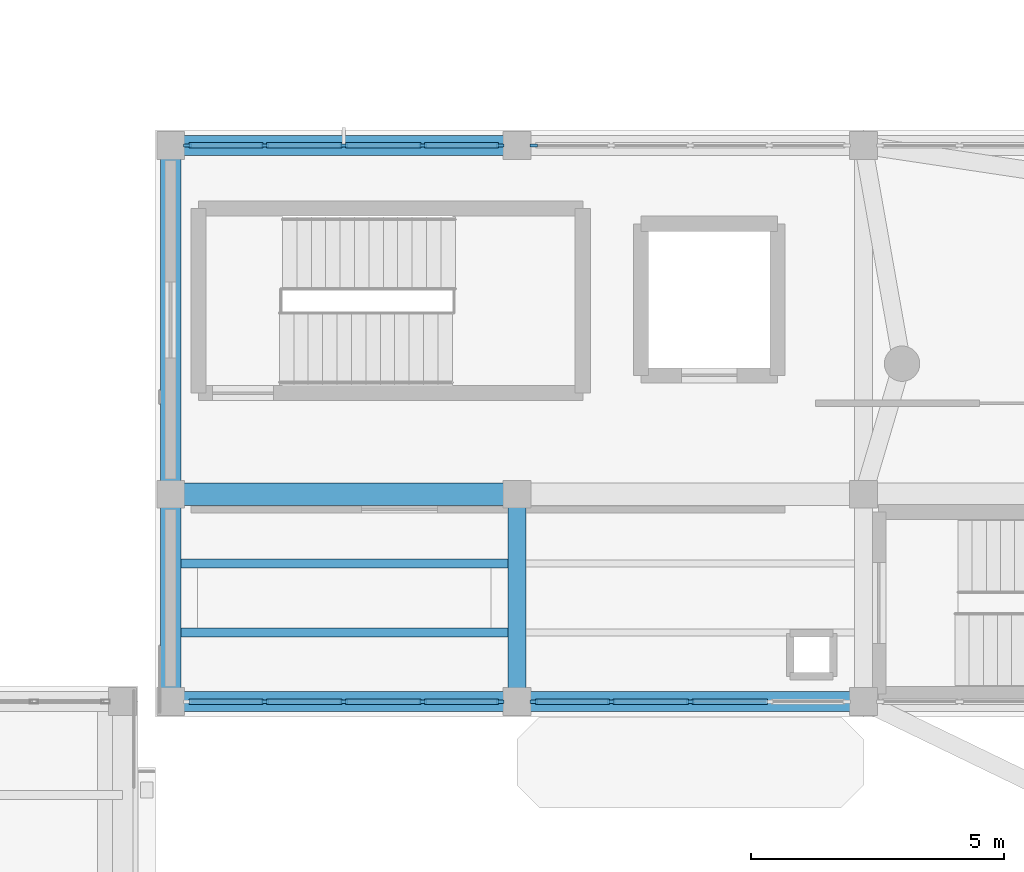
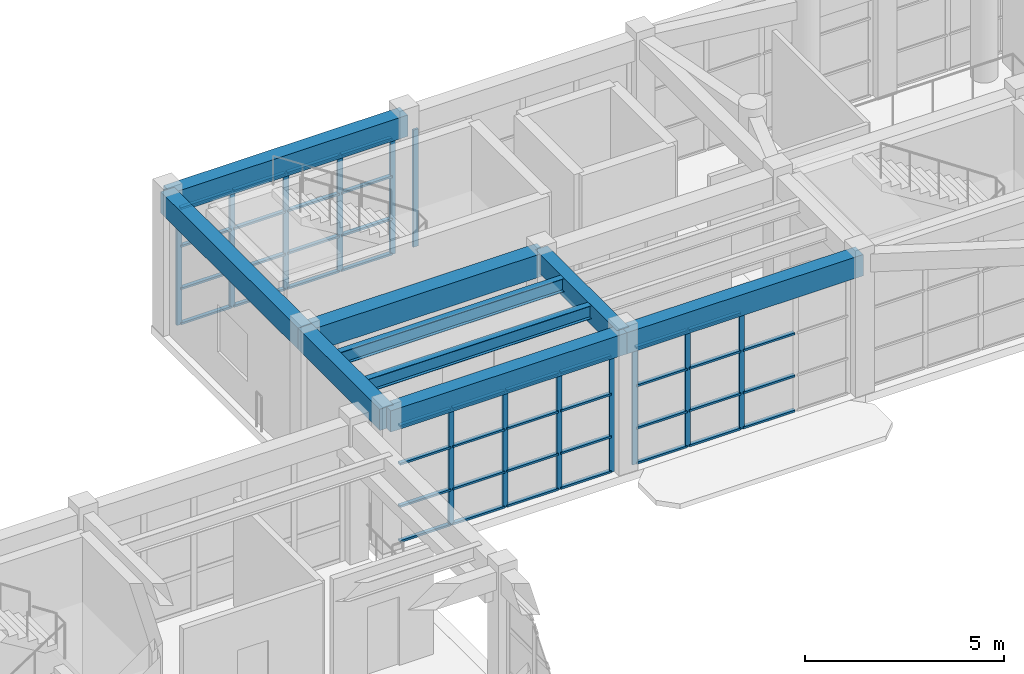
# One storey, part 16 of 85: 56 members, 9 beams, 4 elements without a shape of their own.
"""IFC4 building model written with IfcOpenShell, lengths in metres."""

from ifc_helpers import new_model, si_unit, direction, frame, origin, origin_2d, place, context, subcontext, project, spatial, rectangle, i_section, extrude, material, layer, layer_set, material_profile, profile_set, type_object, element, aggregate, save


model = new_model("IFC4")

# Units and contexts
model_context = context("Model", 3, precision=1e-05, world=origin(), true_north=direction((0.0, 1.0)))
body_context = subcontext(model_context, "Body", "Model", "MODEL_VIEW")
ifc_project = project(units=[si_unit("LENGTHUNIT", "METRE"), si_unit("AREAUNIT", "SQUARE_METRE"), si_unit("VOLUMEUNIT", "CUBIC_METRE"), si_unit("PLANEANGLEUNIT", "RADIAN"), si_unit("MASSUNIT", "GRAM", prefix="KILO")], contexts=[model_context])

# Site, building, storey
site_placement = place(None, origin())
site = spatial("IfcSite", under=ifc_project, at=site_placement, CompositionType="ELEMENT")
building_placement = place(site_placement, origin())
building = spatial("IfcBuilding", under=site, at=building_placement, Name="Candilejo Ridge Gondola Terminal", CompositionType="ELEMENT")
storey_placement = place(building_placement, frame((0.0, 0.0, 4.5)))
storey = spatial("IfcBuildingStorey", under=building, at=storey_placement, Name="L01", CompositionType="ELEMENT", Elevation=4.5)

# Curtain wall, members
ifc_material_1 = material(Name="Anodised aluminium AA 6063-T6", Category="aluminium")
ifc_layer = layer(ifc_material_1, 0.169921875)
ifc_layer_set = layer_set([ifc_layer], Name="ARC-CW-DRUM-3400-625X359")
curtain_wall_type = type_object("IfcCurtainWallType", Name="ARC-CW-DRUM-3400-625X359", PredefinedType="NOTDEFINED", material=ifc_layer_set)
curtain_wall_1_placement = place(storey_placement, origin())
curtain_wall_1 = element("IfcCurtainWall", 1, at=curtain_wall_1_placement, inside=storey, type_object=curtain_wall_type, Name="Curtain wall V2 L01-034", PredefinedType="NOTDEFINED")
ifc_material_2 = material(Name="Anodised aluminium AA 6063-T6", Category="aluminium")
ifc_material_profile_1 = material_profile(ifc_material_2, rectangle(XDim=0.06494140625, YDim=0.14990234375, at=origin_2d()))
ifc_profile_set_1 = profile_set([ifc_material_profile_1], Name="Anodised aluminium AA 6063-T6")
member_type_1 = type_object("IfcMemberType", Name="ARC-CW-MULLION-150", PredefinedType="MULLION", material=ifc_profile_set_1)
member_1_placement = place(storey_placement, frame((44.982421875, 36.699951171875, 0.0), z_axis=(0.0, 0.0, 1.0), x_axis=(0.0, 1.0, 0.0)))
member_1 = element("IfcMember", 2, at=member_1_placement, type_object=member_type_1, Name="CW-62X35 mullion 1", PredefinedType="MULLION", context=body_context, shape_type="SweptSolid", body=[
    extrude(rectangle(XDim=0.06494140625, YDim=0.14990234375, at=origin_2d()), origin(), (0.0, 0.0, 1.0), 3.590087890625),
])
member_2_placement = place(storey_placement, frame((46.512451171875, 36.699951171875, 0.0), z_axis=(0.0, 0.0, 1.0), x_axis=(0.0, 1.0, 0.0)))
member_2 = element("IfcMember", 3, at=member_2_placement, type_object=member_type_1, Name="CW-62X35 mullion 2", PredefinedType="MULLION", context=body_context, shape_type="SweptSolid", body=[
    extrude(rectangle(XDim=0.06494140625, YDim=0.14990234375, at=origin_2d()), origin(), (0.0, 0.0, 1.0), 3.590087890625),
])
member_3_placement = place(storey_placement, frame((48.074951171875, 36.699951171875, 0.0), z_axis=(0.0, 0.0, 1.0), x_axis=(0.0, 1.0, 0.0)))
member_3 = element("IfcMember", 4, at=member_3_placement, type_object=member_type_1, Name="CW-62X35 mullion 3", PredefinedType="MULLION", context=body_context, shape_type="SweptSolid", body=[
    extrude(rectangle(XDim=0.06494140625, YDim=0.14990234375, at=origin_2d()), origin(), (0.0, 0.0, 1.0), 3.590087890625),
])
member_4_placement = place(storey_placement, frame((49.637451171875, 36.699951171875, 0.0), z_axis=(0.0, 0.0, 1.0), x_axis=(0.0, 1.0, 0.0)))
member_4 = element("IfcMember", 5, at=member_4_placement, type_object=member_type_1, Name="CW-62X35 mullion 4", PredefinedType="MULLION", context=body_context, shape_type="SweptSolid", body=[
    extrude(rectangle(XDim=0.06494140625, YDim=0.14990234375, at=origin_2d()), origin(), (0.0, 0.0, 1.0), 3.590087890625),
])
member_5_placement = place(storey_placement, frame((51.16748046875, 36.699951171875, 0.0), z_axis=(0.0, 0.0, 1.0), x_axis=(0.0, 1.0, 0.0)))
member_5 = element("IfcMember", 6, at=member_5_placement, type_object=member_type_1, Name="CW-62X35 mullion 5", PredefinedType="MULLION", context=body_context, shape_type="SweptSolid", body=[
    extrude(rectangle(XDim=0.06494140625, YDim=0.14990234375, at=origin_2d()), origin(), (0.0, 0.0, 1.0), 3.590087890625),
])

curtain_wall_2_placement = place(storey_placement, origin())
curtain_wall_2 = element("IfcCurtainWall", 7, at=curtain_wall_2_placement, inside=storey, type_object=curtain_wall_type, Name="Curtain wall V2 L01-035", PredefinedType="NOTDEFINED")
member_6_placement = place(storey_placement, frame((46.512451171875, 25.699951171875, 0.0), z_axis=(0.0, 0.0, 1.0), x_axis=(0.0, 1.0, 0.0)))
member_6 = element("IfcMember", 8, at=member_6_placement, type_object=member_type_1, Name="CW-62X35 mullion 2", PredefinedType="MULLION", context=body_context, shape_type="SweptSolid", body=[
    extrude(rectangle(XDim=0.06494140625, YDim=0.14990234375, at=origin_2d()), origin(), (0.0, 0.0, 1.0), 3.590087890625),
])
member_7_placement = place(storey_placement, frame((48.074951171875, 25.699951171875, 0.0), z_axis=(0.0, 0.0, 1.0), x_axis=(0.0, 1.0, 0.0)))
member_7 = element("IfcMember", 9, at=member_7_placement, type_object=member_type_1, Name="CW-62X35 mullion 3", PredefinedType="MULLION", context=body_context, shape_type="SweptSolid", body=[
    extrude(rectangle(XDim=0.06494140625, YDim=0.14990234375, at=origin_2d()), origin(), (0.0, 0.0, 1.0), 3.590087890625),
])
member_8_placement = place(storey_placement, frame((49.637451171875, 25.699951171875, 0.0), z_axis=(0.0, 0.0, 1.0), x_axis=(0.0, 1.0, 0.0)))
member_8 = element("IfcMember", 10, at=member_8_placement, type_object=member_type_1, Name="CW-62X35 mullion 4", PredefinedType="MULLION", context=body_context, shape_type="SweptSolid", body=[
    extrude(rectangle(XDim=0.06494140625, YDim=0.14990234375, at=origin_2d()), origin(), (0.0, 0.0, 1.0), 3.590087890625),
])
member_9_placement = place(storey_placement, frame((51.16748046875, 25.699951171875, 0.0), z_axis=(0.0, 0.0, 1.0), x_axis=(0.0, 1.0, 0.0)))
member_9 = element("IfcMember", 11, at=member_9_placement, type_object=member_type_1, Name="CW-62X35 mullion 5", PredefinedType="MULLION", context=body_context, shape_type="SweptSolid", body=[
    extrude(rectangle(XDim=0.06494140625, YDim=0.14990234375, at=origin_2d()), origin(), (0.0, 0.0, 1.0), 3.590087890625),
])

# Curtain wall, member
curtain_wall_3_placement = place(storey_placement, origin())
curtain_wall_3 = element("IfcCurtainWall", 12, at=curtain_wall_3_placement, inside=storey, type_object=curtain_wall_type, Name="Curtain wall V2 L01-036", PredefinedType="NOTDEFINED")
member_10_placement = place(storey_placement, frame((51.83251953125, 36.699951171875, 0.0), z_axis=(0.0, 0.0, 1.0), x_axis=(0.0, 1.0, 0.0)))
member_10 = element("IfcMember", 13, at=member_10_placement, type_object=member_type_1, Name="CW-62X35 mullion 1", PredefinedType="MULLION", context=body_context, shape_type="SweptSolid", body=[
    extrude(rectangle(XDim=0.06494140625, YDim=0.14990234375, at=origin_2d()), origin(), (0.0, 0.0, 1.0), 3.590087890625),
])
aggregate(curtain_wall_3, [member_10])

# Curtain wall, members
curtain_wall_4_placement = place(storey_placement, origin())
curtain_wall_4 = element("IfcCurtainWall", 14, at=curtain_wall_4_placement, inside=storey, type_object=curtain_wall_type, Name="Curtain wall V2 L01-037", PredefinedType="NOTDEFINED")
member_11_placement = place(storey_placement, frame((51.83251953125, 25.699951171875, 0.0), z_axis=(0.0, 0.0, 1.0), x_axis=(0.0, 1.0, 0.0)))
member_11 = element("IfcMember", 15, at=member_11_placement, type_object=member_type_1, Name="CW-62X35 mullion 1", PredefinedType="MULLION", context=body_context, shape_type="SweptSolid", body=[
    extrude(rectangle(XDim=0.06494140625, YDim=0.14990234375, at=origin_2d()), origin(), (0.0, 0.0, 1.0), 3.590087890625),
])
member_12_placement = place(storey_placement, frame((53.362548828125, 25.699951171875, 0.0), z_axis=(0.0, 0.0, 1.0), x_axis=(0.0, 1.0, 0.0)))
member_12 = element("IfcMember", 16, at=member_12_placement, type_object=member_type_1, Name="CW-62X35 mullion 2", PredefinedType="MULLION", context=body_context, shape_type="SweptSolid", body=[
    extrude(rectangle(XDim=0.06494140625, YDim=0.14990234375, at=origin_2d()), origin(), (0.0, 0.0, 1.0), 3.590087890625),
])
member_13_placement = place(storey_placement, frame((54.925048828125, 25.699951171875, 0.0), z_axis=(0.0, 0.0, 1.0), x_axis=(0.0, 1.0, 0.0)))
member_13 = element("IfcMember", 17, at=member_13_placement, type_object=member_type_1, Name="CW-62X35 mullion 3", PredefinedType="MULLION", context=body_context, shape_type="SweptSolid", body=[
    extrude(rectangle(XDim=0.06494140625, YDim=0.14990234375, at=origin_2d()), origin(), (0.0, 0.0, 1.0), 3.590087890625),
])

# Member
ifc_material_3 = material(Name="Anodised aluminium AA 6063-T6", Category="aluminium")
ifc_material_profile_2 = material_profile(ifc_material_3, rectangle(XDim=0.110107421875, YDim=0.06005859375, at=origin_2d()))
ifc_profile_set_2 = profile_set([ifc_material_profile_2], Name="Anodised aluminium AA 6063-T6")
member_type_2 = type_object("IfcMemberType", Name="ARC-CW-TRANSOM-110", PredefinedType="USERDEFINED", material=ifc_profile_set_2)
member_14_placement = place(storey_placement, frame((45.014892578125, 36.699951171875, 0.030029296875), z_axis=(1.0, 0.0, 0.0), x_axis=(0.0, 1.0, 0.0)))
member_14 = element("IfcMember", 18, at=member_14_placement, type_object=member_type_2, Name="CW-62X35 transom 1.1", ObjectType="TRANSOM", PredefinedType="USERDEFINED", context=body_context, shape_type="SweptSolid", body=[
    extrude(rectangle(XDim=0.110107421875, YDim=0.06005859375, at=origin_2d()), origin(), (0.0, 0.0, 1.0), 1.465087890625),
])

member_15_placement = place(storey_placement, frame((45.014892578125, 36.699951171875, 1.10009765625), z_axis=(1.0, 0.0, 0.0), x_axis=(0.0, 1.0, 0.0)))
member_15 = element("IfcMember", 19, at=member_15_placement, type_object=member_type_2, Name="CW-62X35 transom 1.2", ObjectType="TRANSOM", PredefinedType="USERDEFINED", context=body_context, shape_type="SweptSolid", body=[
    extrude(rectangle(XDim=0.110107421875, YDim=0.06005859375, at=origin_2d()), origin(), (0.0, 0.0, 1.0), 1.465087890625),
])

member_16_placement = place(storey_placement, frame((45.014892578125, 36.699951171875, 2.39990234375), z_axis=(1.0, 0.0, 0.0), x_axis=(0.0, 1.0, 0.0)))
member_16 = element("IfcMember", 20, at=member_16_placement, type_object=member_type_2, Name="CW-62X35 transom 1.3", ObjectType="TRANSOM", PredefinedType="USERDEFINED", context=body_context, shape_type="SweptSolid", body=[
    extrude(rectangle(XDim=0.110107421875, YDim=0.06005859375, at=origin_2d()), origin(), (0.0, 0.0, 1.0), 1.465087890625),
])

member_17_placement = place(storey_placement, frame((45.014892578125, 36.699951171875, 3.56005859375), z_axis=(1.0, 0.0, 0.0), x_axis=(0.0, 1.0, 0.0)))
member_17 = element("IfcMember", 21, at=member_17_placement, type_object=member_type_2, Name="CW-62X35 transom 1.4", ObjectType="TRANSOM", PredefinedType="USERDEFINED", context=body_context, shape_type="SweptSolid", body=[
    extrude(rectangle(XDim=0.110107421875, YDim=0.06005859375, at=origin_2d()), origin(), (0.0, 0.0, 1.0), 1.465087890625),
])

member_18_placement = place(storey_placement, frame((46.544921875, 36.699951171875, 0.030029296875), z_axis=(1.0, 0.0, 0.0), x_axis=(0.0, 1.0, 0.0)))
member_18 = element("IfcMember", 22, at=member_18_placement, type_object=member_type_2, Name="CW-62X35 transom 2.1", ObjectType="TRANSOM", PredefinedType="USERDEFINED", context=body_context, shape_type="SweptSolid", body=[
    extrude(rectangle(XDim=0.110107421875, YDim=0.06005859375, at=origin_2d()), origin(), (0.0, 0.0, 1.0), 1.49755859375),
])

member_19_placement = place(storey_placement, frame((46.544921875, 36.699951171875, 1.10009765625), z_axis=(1.0, 0.0, 0.0), x_axis=(0.0, 1.0, 0.0)))
member_19 = element("IfcMember", 23, at=member_19_placement, type_object=member_type_2, Name="CW-62X35 transom 2.2", ObjectType="TRANSOM", PredefinedType="USERDEFINED", context=body_context, shape_type="SweptSolid", body=[
    extrude(rectangle(XDim=0.110107421875, YDim=0.06005859375, at=origin_2d()), origin(), (0.0, 0.0, 1.0), 1.49755859375),
])

member_20_placement = place(storey_placement, frame((46.544921875, 36.699951171875, 2.39990234375), z_axis=(1.0, 0.0, 0.0), x_axis=(0.0, 1.0, 0.0)))
member_20 = element("IfcMember", 24, at=member_20_placement, type_object=member_type_2, Name="CW-62X35 transom 2.3", ObjectType="TRANSOM", PredefinedType="USERDEFINED", context=body_context, shape_type="SweptSolid", body=[
    extrude(rectangle(XDim=0.110107421875, YDim=0.06005859375, at=origin_2d()), origin(), (0.0, 0.0, 1.0), 1.49755859375),
])

member_21_placement = place(storey_placement, frame((46.544921875, 36.699951171875, 3.56005859375), z_axis=(1.0, 0.0, 0.0), x_axis=(0.0, 1.0, 0.0)))
member_21 = element("IfcMember", 25, at=member_21_placement, type_object=member_type_2, Name="CW-62X35 transom 2.4", ObjectType="TRANSOM", PredefinedType="USERDEFINED", context=body_context, shape_type="SweptSolid", body=[
    extrude(rectangle(XDim=0.110107421875, YDim=0.06005859375, at=origin_2d()), origin(), (0.0, 0.0, 1.0), 1.49755859375),
])

member_22_placement = place(storey_placement, frame((48.107421875, 36.699951171875, 0.030029296875), z_axis=(1.0, 0.0, 0.0), x_axis=(0.0, 1.0, 0.0)))
member_22 = element("IfcMember", 26, at=member_22_placement, type_object=member_type_2, Name="CW-62X35 transom 3.1", ObjectType="TRANSOM", PredefinedType="USERDEFINED", context=body_context, shape_type="SweptSolid", body=[
    extrude(rectangle(XDim=0.110107421875, YDim=0.06005859375, at=origin_2d()), origin(), (0.0, 0.0, 1.0), 1.49755859375),
])

member_23_placement = place(storey_placement, frame((48.107421875, 36.699951171875, 1.10009765625), z_axis=(1.0, 0.0, 0.0), x_axis=(0.0, 1.0, 0.0)))
member_23 = element("IfcMember", 27, at=member_23_placement, type_object=member_type_2, Name="CW-62X35 transom 3.2", ObjectType="TRANSOM", PredefinedType="USERDEFINED", context=body_context, shape_type="SweptSolid", body=[
    extrude(rectangle(XDim=0.110107421875, YDim=0.06005859375, at=origin_2d()), origin(), (0.0, 0.0, 1.0), 1.49755859375),
])

member_24_placement = place(storey_placement, frame((48.107421875, 36.699951171875, 2.39990234375), z_axis=(1.0, 0.0, 0.0), x_axis=(0.0, 1.0, 0.0)))
member_24 = element("IfcMember", 28, at=member_24_placement, type_object=member_type_2, Name="CW-62X35 transom 3.3", ObjectType="TRANSOM", PredefinedType="USERDEFINED", context=body_context, shape_type="SweptSolid", body=[
    extrude(rectangle(XDim=0.110107421875, YDim=0.06005859375, at=origin_2d()), origin(), (0.0, 0.0, 1.0), 1.49755859375),
])

member_25_placement = place(storey_placement, frame((48.107421875, 36.699951171875, 3.56005859375), z_axis=(1.0, 0.0, 0.0), x_axis=(0.0, 1.0, 0.0)))
member_25 = element("IfcMember", 29, at=member_25_placement, type_object=member_type_2, Name="CW-62X35 transom 3.4", ObjectType="TRANSOM", PredefinedType="USERDEFINED", context=body_context, shape_type="SweptSolid", body=[
    extrude(rectangle(XDim=0.110107421875, YDim=0.06005859375, at=origin_2d()), origin(), (0.0, 0.0, 1.0), 1.49755859375),
])

member_26_placement = place(storey_placement, frame((49.669921875, 36.699951171875, 0.030029296875), z_axis=(1.0, 0.0, 0.0), x_axis=(0.0, 1.0, 0.0)))
member_26 = element("IfcMember", 30, at=member_26_placement, type_object=member_type_2, Name="CW-62X35 transom 4.1", ObjectType="TRANSOM", PredefinedType="USERDEFINED", context=body_context, shape_type="SweptSolid", body=[
    extrude(rectangle(XDim=0.110107421875, YDim=0.06005859375, at=origin_2d()), origin(), (0.0, 0.0, 1.0), 1.465087890625),
])

member_27_placement = place(storey_placement, frame((49.669921875, 36.699951171875, 1.10009765625), z_axis=(1.0, 0.0, 0.0), x_axis=(0.0, 1.0, 0.0)))
member_27 = element("IfcMember", 31, at=member_27_placement, type_object=member_type_2, Name="CW-62X35 transom 4.2", ObjectType="TRANSOM", PredefinedType="USERDEFINED", context=body_context, shape_type="SweptSolid", body=[
    extrude(rectangle(XDim=0.110107421875, YDim=0.06005859375, at=origin_2d()), origin(), (0.0, 0.0, 1.0), 1.465087890625),
])

member_28_placement = place(storey_placement, frame((49.669921875, 36.699951171875, 2.39990234375), z_axis=(1.0, 0.0, 0.0), x_axis=(0.0, 1.0, 0.0)))
member_28 = element("IfcMember", 32, at=member_28_placement, type_object=member_type_2, Name="CW-62X35 transom 4.3", ObjectType="TRANSOM", PredefinedType="USERDEFINED", context=body_context, shape_type="SweptSolid", body=[
    extrude(rectangle(XDim=0.110107421875, YDim=0.06005859375, at=origin_2d()), origin(), (0.0, 0.0, 1.0), 1.465087890625),
])

member_29_placement = place(storey_placement, frame((49.669921875, 36.699951171875, 3.56005859375), z_axis=(1.0, 0.0, 0.0), x_axis=(0.0, 1.0, 0.0)))
member_29 = element("IfcMember", 33, at=member_29_placement, type_object=member_type_2, Name="CW-62X35 transom 4.4", ObjectType="TRANSOM", PredefinedType="USERDEFINED", context=body_context, shape_type="SweptSolid", body=[
    extrude(rectangle(XDim=0.110107421875, YDim=0.06005859375, at=origin_2d()), origin(), (0.0, 0.0, 1.0), 1.465087890625),
])

aggregate(curtain_wall_1, [member_1, member_2, member_3, member_4, member_5, member_14, member_15, member_16, member_17, member_18, member_19, member_20, member_21, member_22, member_23, member_24, member_25, member_26, member_27, member_28, member_29])

member_30_placement = place(storey_placement, frame((45.014892578125, 25.699951171875, 0.030029296875), z_axis=(1.0, 0.0, 0.0), x_axis=(0.0, 1.0, 0.0)))
member_30 = element("IfcMember", 34, at=member_30_placement, type_object=member_type_2, Name="CW-62X35 transom 1.1", ObjectType="TRANSOM", PredefinedType="USERDEFINED", context=body_context, shape_type="SweptSolid", body=[
    extrude(rectangle(XDim=0.110107421875, YDim=0.06005859375, at=origin_2d()), origin(), (0.0, 0.0, 1.0), 1.465087890625),
])

member_31_placement = place(storey_placement, frame((45.014892578125, 25.699951171875, 1.10009765625), z_axis=(1.0, 0.0, 0.0), x_axis=(0.0, 1.0, 0.0)))
member_31 = element("IfcMember", 35, at=member_31_placement, type_object=member_type_2, Name="CW-62X35 transom 1.2", ObjectType="TRANSOM", PredefinedType="USERDEFINED", context=body_context, shape_type="SweptSolid", body=[
    extrude(rectangle(XDim=0.110107421875, YDim=0.06005859375, at=origin_2d()), origin(), (0.0, 0.0, 1.0), 1.465087890625),
])

member_32_placement = place(storey_placement, frame((45.014892578125, 25.699951171875, 2.39990234375), z_axis=(1.0, 0.0, 0.0), x_axis=(0.0, 1.0, 0.0)))
member_32 = element("IfcMember", 36, at=member_32_placement, type_object=member_type_2, Name="CW-62X35 transom 1.3", ObjectType="TRANSOM", PredefinedType="USERDEFINED", context=body_context, shape_type="SweptSolid", body=[
    extrude(rectangle(XDim=0.110107421875, YDim=0.06005859375, at=origin_2d()), origin(), (0.0, 0.0, 1.0), 1.465087890625),
])

member_33_placement = place(storey_placement, frame((45.014892578125, 25.699951171875, 3.56005859375), z_axis=(1.0, 0.0, 0.0), x_axis=(0.0, 1.0, 0.0)))
member_33 = element("IfcMember", 37, at=member_33_placement, type_object=member_type_2, Name="CW-62X35 transom 1.4", ObjectType="TRANSOM", PredefinedType="USERDEFINED", context=body_context, shape_type="SweptSolid", body=[
    extrude(rectangle(XDim=0.110107421875, YDim=0.06005859375, at=origin_2d()), origin(), (0.0, 0.0, 1.0), 1.465087890625),
])

member_34_placement = place(storey_placement, frame((46.544921875, 25.699951171875, 0.030029296875), z_axis=(1.0, 0.0, 0.0), x_axis=(0.0, 1.0, 0.0)))
member_34 = element("IfcMember", 38, at=member_34_placement, type_object=member_type_2, Name="CW-62X35 transom 2.1", ObjectType="TRANSOM", PredefinedType="USERDEFINED", context=body_context, shape_type="SweptSolid", body=[
    extrude(rectangle(XDim=0.110107421875, YDim=0.06005859375, at=origin_2d()), origin(), (0.0, 0.0, 1.0), 1.49755859375),
])

member_35_placement = place(storey_placement, frame((46.544921875, 25.699951171875, 1.10009765625), z_axis=(1.0, 0.0, 0.0), x_axis=(0.0, 1.0, 0.0)))
member_35 = element("IfcMember", 39, at=member_35_placement, type_object=member_type_2, Name="CW-62X35 transom 2.2", ObjectType="TRANSOM", PredefinedType="USERDEFINED", context=body_context, shape_type="SweptSolid", body=[
    extrude(rectangle(XDim=0.110107421875, YDim=0.06005859375, at=origin_2d()), origin(), (0.0, 0.0, 1.0), 1.49755859375),
])

member_36_placement = place(storey_placement, frame((46.544921875, 25.699951171875, 2.39990234375), z_axis=(1.0, 0.0, 0.0), x_axis=(0.0, 1.0, 0.0)))
member_36 = element("IfcMember", 40, at=member_36_placement, type_object=member_type_2, Name="CW-62X35 transom 2.3", ObjectType="TRANSOM", PredefinedType="USERDEFINED", context=body_context, shape_type="SweptSolid", body=[
    extrude(rectangle(XDim=0.110107421875, YDim=0.06005859375, at=origin_2d()), origin(), (0.0, 0.0, 1.0), 1.49755859375),
])

member_37_placement = place(storey_placement, frame((46.544921875, 25.699951171875, 3.56005859375), z_axis=(1.0, 0.0, 0.0), x_axis=(0.0, 1.0, 0.0)))
member_37 = element("IfcMember", 41, at=member_37_placement, type_object=member_type_2, Name="CW-62X35 transom 2.4", ObjectType="TRANSOM", PredefinedType="USERDEFINED", context=body_context, shape_type="SweptSolid", body=[
    extrude(rectangle(XDim=0.110107421875, YDim=0.06005859375, at=origin_2d()), origin(), (0.0, 0.0, 1.0), 1.49755859375),
])

member_38_placement = place(storey_placement, frame((48.107421875, 25.699951171875, 0.030029296875), z_axis=(1.0, 0.0, 0.0), x_axis=(0.0, 1.0, 0.0)))
member_38 = element("IfcMember", 42, at=member_38_placement, type_object=member_type_2, Name="CW-62X35 transom 3.1", ObjectType="TRANSOM", PredefinedType="USERDEFINED", context=body_context, shape_type="SweptSolid", body=[
    extrude(rectangle(XDim=0.110107421875, YDim=0.06005859375, at=origin_2d()), origin(), (0.0, 0.0, 1.0), 1.49755859375),
])

member_39_placement = place(storey_placement, frame((48.107421875, 25.699951171875, 1.10009765625), z_axis=(1.0, 0.0, 0.0), x_axis=(0.0, 1.0, 0.0)))
member_39 = element("IfcMember", 43, at=member_39_placement, type_object=member_type_2, Name="CW-62X35 transom 3.2", ObjectType="TRANSOM", PredefinedType="USERDEFINED", context=body_context, shape_type="SweptSolid", body=[
    extrude(rectangle(XDim=0.110107421875, YDim=0.06005859375, at=origin_2d()), origin(), (0.0, 0.0, 1.0), 1.49755859375),
])

member_40_placement = place(storey_placement, frame((48.107421875, 25.699951171875, 2.39990234375), z_axis=(1.0, 0.0, 0.0), x_axis=(0.0, 1.0, 0.0)))
member_40 = element("IfcMember", 44, at=member_40_placement, type_object=member_type_2, Name="CW-62X35 transom 3.3", ObjectType="TRANSOM", PredefinedType="USERDEFINED", context=body_context, shape_type="SweptSolid", body=[
    extrude(rectangle(XDim=0.110107421875, YDim=0.06005859375, at=origin_2d()), origin(), (0.0, 0.0, 1.0), 1.49755859375),
])

member_41_placement = place(storey_placement, frame((48.107421875, 25.699951171875, 3.56005859375), z_axis=(1.0, 0.0, 0.0), x_axis=(0.0, 1.0, 0.0)))
member_41 = element("IfcMember", 45, at=member_41_placement, type_object=member_type_2, Name="CW-62X35 transom 3.4", ObjectType="TRANSOM", PredefinedType="USERDEFINED", context=body_context, shape_type="SweptSolid", body=[
    extrude(rectangle(XDim=0.110107421875, YDim=0.06005859375, at=origin_2d()), origin(), (0.0, 0.0, 1.0), 1.49755859375),
])

member_42_placement = place(storey_placement, frame((49.669921875, 25.699951171875, 0.030029296875), z_axis=(1.0, 0.0, 0.0), x_axis=(0.0, 1.0, 0.0)))
member_42 = element("IfcMember", 46, at=member_42_placement, type_object=member_type_2, Name="CW-62X35 transom 4.1", ObjectType="TRANSOM", PredefinedType="USERDEFINED", context=body_context, shape_type="SweptSolid", body=[
    extrude(rectangle(XDim=0.110107421875, YDim=0.06005859375, at=origin_2d()), origin(), (0.0, 0.0, 1.0), 1.465087890625),
])

member_43_placement = place(storey_placement, frame((49.669921875, 25.699951171875, 1.10009765625), z_axis=(1.0, 0.0, 0.0), x_axis=(0.0, 1.0, 0.0)))
member_43 = element("IfcMember", 47, at=member_43_placement, type_object=member_type_2, Name="CW-62X35 transom 4.2", ObjectType="TRANSOM", PredefinedType="USERDEFINED", context=body_context, shape_type="SweptSolid", body=[
    extrude(rectangle(XDim=0.110107421875, YDim=0.06005859375, at=origin_2d()), origin(), (0.0, 0.0, 1.0), 1.465087890625),
])

member_44_placement = place(storey_placement, frame((49.669921875, 25.699951171875, 2.39990234375), z_axis=(1.0, 0.0, 0.0), x_axis=(0.0, 1.0, 0.0)))
member_44 = element("IfcMember", 48, at=member_44_placement, type_object=member_type_2, Name="CW-62X35 transom 4.3", ObjectType="TRANSOM", PredefinedType="USERDEFINED", context=body_context, shape_type="SweptSolid", body=[
    extrude(rectangle(XDim=0.110107421875, YDim=0.06005859375, at=origin_2d()), origin(), (0.0, 0.0, 1.0), 1.465087890625),
])

member_45_placement = place(storey_placement, frame((49.669921875, 25.699951171875, 3.56005859375), z_axis=(1.0, 0.0, 0.0), x_axis=(0.0, 1.0, 0.0)))
member_45 = element("IfcMember", 49, at=member_45_placement, type_object=member_type_2, Name="CW-62X35 transom 4.4", ObjectType="TRANSOM", PredefinedType="USERDEFINED", context=body_context, shape_type="SweptSolid", body=[
    extrude(rectangle(XDim=0.110107421875, YDim=0.06005859375, at=origin_2d()), origin(), (0.0, 0.0, 1.0), 1.465087890625),
])

aggregate(curtain_wall_2, [member_6, member_7, member_8, member_9, member_30, member_31, member_32, member_33, member_34, member_35, member_36, member_37, member_38, member_39, member_40, member_41, member_42, member_43, member_44, member_45])

member_46_placement = place(storey_placement, frame((51.864990234375, 25.699951171875, 0.030029296875), z_axis=(1.0, 0.0, 0.0), x_axis=(0.0, 1.0, 0.0)))
member_46 = element("IfcMember", 50, at=member_46_placement, type_object=member_type_2, Name="CW-62X35 transom 1.1", ObjectType="TRANSOM", PredefinedType="USERDEFINED", context=body_context, shape_type="SweptSolid", body=[
    extrude(rectangle(XDim=0.110107421875, YDim=0.06005859375, at=origin_2d()), origin(), (0.0, 0.0, 1.0), 1.465087890625),
])

member_47_placement = place(storey_placement, frame((51.864990234375, 25.699951171875, 1.10009765625), z_axis=(1.0, 0.0, 0.0), x_axis=(0.0, 1.0, 0.0)))
member_47 = element("IfcMember", 51, at=member_47_placement, type_object=member_type_2, Name="CW-62X35 transom 1.2", ObjectType="TRANSOM", PredefinedType="USERDEFINED", context=body_context, shape_type="SweptSolid", body=[
    extrude(rectangle(XDim=0.110107421875, YDim=0.06005859375, at=origin_2d()), origin(), (0.0, 0.0, 1.0), 1.465087890625),
])

member_48_placement = place(storey_placement, frame((51.864990234375, 25.699951171875, 2.39990234375), z_axis=(1.0, 0.0, 0.0), x_axis=(0.0, 1.0, 0.0)))
member_48 = element("IfcMember", 52, at=member_48_placement, type_object=member_type_2, Name="CW-62X35 transom 1.3", ObjectType="TRANSOM", PredefinedType="USERDEFINED", context=body_context, shape_type="SweptSolid", body=[
    extrude(rectangle(XDim=0.110107421875, YDim=0.06005859375, at=origin_2d()), origin(), (0.0, 0.0, 1.0), 1.465087890625),
])

member_49_placement = place(storey_placement, frame((51.864990234375, 25.699951171875, 3.56005859375), z_axis=(1.0, 0.0, 0.0), x_axis=(0.0, 1.0, 0.0)))
member_49 = element("IfcMember", 53, at=member_49_placement, type_object=member_type_2, Name="CW-62X35 transom 1.4", ObjectType="TRANSOM", PredefinedType="USERDEFINED", context=body_context, shape_type="SweptSolid", body=[
    extrude(rectangle(XDim=0.110107421875, YDim=0.06005859375, at=origin_2d()), origin(), (0.0, 0.0, 1.0), 1.465087890625),
])

member_50_placement = place(storey_placement, frame((53.39501953125, 25.699951171875, 0.030029296875), z_axis=(1.0, 0.0, 0.0), x_axis=(0.0, 1.0, 0.0)))
member_50 = element("IfcMember", 54, at=member_50_placement, type_object=member_type_2, Name="CW-62X35 transom 2.1", ObjectType="TRANSOM", PredefinedType="USERDEFINED", context=body_context, shape_type="SweptSolid", body=[
    extrude(rectangle(XDim=0.110107421875, YDim=0.06005859375, at=origin_2d()), origin(), (0.0, 0.0, 1.0), 1.49755859375),
])

member_51_placement = place(storey_placement, frame((53.39501953125, 25.699951171875, 1.10009765625), z_axis=(1.0, 0.0, 0.0), x_axis=(0.0, 1.0, 0.0)))
member_51 = element("IfcMember", 55, at=member_51_placement, type_object=member_type_2, Name="CW-62X35 transom 2.2", ObjectType="TRANSOM", PredefinedType="USERDEFINED", context=body_context, shape_type="SweptSolid", body=[
    extrude(rectangle(XDim=0.110107421875, YDim=0.06005859375, at=origin_2d()), origin(), (0.0, 0.0, 1.0), 1.49755859375),
])

member_52_placement = place(storey_placement, frame((53.39501953125, 25.699951171875, 2.39990234375), z_axis=(1.0, 0.0, 0.0), x_axis=(0.0, 1.0, 0.0)))
member_52 = element("IfcMember", 56, at=member_52_placement, type_object=member_type_2, Name="CW-62X35 transom 2.3", ObjectType="TRANSOM", PredefinedType="USERDEFINED", context=body_context, shape_type="SweptSolid", body=[
    extrude(rectangle(XDim=0.110107421875, YDim=0.06005859375, at=origin_2d()), origin(), (0.0, 0.0, 1.0), 1.49755859375),
])

member_53_placement = place(storey_placement, frame((53.39501953125, 25.699951171875, 3.56005859375), z_axis=(1.0, 0.0, 0.0), x_axis=(0.0, 1.0, 0.0)))
member_53 = element("IfcMember", 57, at=member_53_placement, type_object=member_type_2, Name="CW-62X35 transom 2.4", ObjectType="TRANSOM", PredefinedType="USERDEFINED", context=body_context, shape_type="SweptSolid", body=[
    extrude(rectangle(XDim=0.110107421875, YDim=0.06005859375, at=origin_2d()), origin(), (0.0, 0.0, 1.0), 1.49755859375),
])

member_54_placement = place(storey_placement, frame((54.95751953125, 25.699951171875, 0.030029296875), z_axis=(1.0, 0.0, 0.0), x_axis=(0.0, 1.0, 0.0)))
member_54 = element("IfcMember", 58, at=member_54_placement, type_object=member_type_2, Name="CW-62X35 transom 3.1", ObjectType="TRANSOM", PredefinedType="USERDEFINED", context=body_context, shape_type="SweptSolid", body=[
    extrude(rectangle(XDim=0.110107421875, YDim=0.06005859375, at=origin_2d()), origin(), (0.0, 0.0, 1.0), 1.49755859375),
])

member_55_placement = place(storey_placement, frame((54.95751953125, 25.699951171875, 1.10009765625), z_axis=(1.0, 0.0, 0.0), x_axis=(0.0, 1.0, 0.0)))
member_55 = element("IfcMember", 59, at=member_55_placement, type_object=member_type_2, Name="CW-62X35 transom 3.2", ObjectType="TRANSOM", PredefinedType="USERDEFINED", context=body_context, shape_type="SweptSolid", body=[
    extrude(rectangle(XDim=0.110107421875, YDim=0.06005859375, at=origin_2d()), origin(), (0.0, 0.0, 1.0), 1.49755859375),
])

member_56_placement = place(storey_placement, frame((54.95751953125, 25.699951171875, 2.39990234375), z_axis=(1.0, 0.0, 0.0), x_axis=(0.0, 1.0, 0.0)))
member_56 = element("IfcMember", 60, at=member_56_placement, type_object=member_type_2, Name="CW-62X35 transom 3.3", ObjectType="TRANSOM", PredefinedType="USERDEFINED", context=body_context, shape_type="SweptSolid", body=[
    extrude(rectangle(XDim=0.110107421875, YDim=0.06005859375, at=origin_2d()), origin(), (0.0, 0.0, 1.0), 1.49755859375),
])

aggregate(curtain_wall_4, [member_11, member_12, member_13, member_46, member_47, member_48, member_49, member_50, member_51, member_52, member_53, member_54, member_55, member_56])

# Beams
ifc_material_4 = material(Name="Concrete f'c 35 MPa (C35/45)", Category="concrete")
ifc_material_profile_3 = material_profile(ifc_material_4, rectangle(XDim=0.35009765625, YDim=0.60009765625, at=origin_2d()))
ifc_profile_set_3 = profile_set([ifc_material_profile_3], Name="Concrete f'c 35 MPa (C35/45)")
beam_type_1 = type_object("IfcBeamType", Name="STR-BM-RC350X600", PredefinedType="BEAM", material=ifc_profile_set_3)
beam_1_placement = place(storey_placement, frame((51.5, 25.699951171875, 3.949951171875), z_axis=(0.0, 1.0, 0.0), x_axis=(-1.0, 0.0, 0.0)))
element("IfcBeam", 61, at=beam_1_placement, inside=storey, type_object=beam_type_1, Name="Beam Y V2 L01 Y05-Y06@X08", PredefinedType="BEAM", context=body_context, shape_type="SweptSolid", body=[
    extrude(rectangle(XDim=0.35009765625, YDim=0.60009765625, at=origin_2d()), origin(), (0.0, 0.0, 1.0), 4.10009765625),
])
ifc_material_5 = material(Name="Concrete f'c 35 MPa (C35/45)", Category="concrete")
ifc_material_profile_4 = material_profile(ifc_material_5, rectangle(XDim=0.449951171875, YDim=0.699951171875, at=origin_2d()))
ifc_profile_set_4 = profile_set([ifc_material_profile_4], Name="Concrete f'c 35 MPa (C35/45)")
beam_type_2 = type_object("IfcBeamType", Name="STR-BM-RC450X700", PredefinedType="BEAM", material=ifc_profile_set_4)
beam_2_placement = place(storey_placement, frame((44.64990234375, 29.800048828125, 3.89990234375), z_axis=(1.0, 0.0, 0.0), x_axis=(0.0, 1.0, 0.0)))
element("IfcBeam", 62, at=beam_2_placement, inside=storey, type_object=beam_type_2, Name="Beam X V2 L01 X07-X08@Y06", PredefinedType="BEAM", context=body_context, shape_type="SweptSolid", body=[
    extrude(rectangle(XDim=0.449951171875, YDim=0.699951171875, at=origin_2d()), origin(), (0.0, 0.0, 1.0), 6.85009765625),
])
ifc_material_6 = material(Name="Steel ASTM A992 Grade 50", Category="steel")
ifc_material_profile_5 = material_profile(ifc_material_6, i_section(OverallWidth=0.177978515625, OverallDepth=0.406982421875, WebThickness=0.0078125, FlangeThickness=0.0126953125, at=origin_2d()))
ifc_profile_set_5 = profile_set([ifc_material_profile_5], Name="Steel ASTM A992 Grade 50")
beam_type_3 = type_object("IfcBeamType", Name="STR-JST-W410X60", PredefinedType="JOIST", material=ifc_profile_set_5)
for number, where, z_axis, x_axis, name in (
    (63, (44.85009765625, 27.066650390625, 4.04638671875), (1.0, 0.0, 0.0), (0.0, 1.0, 0.0), "Composite joist V2 L01-0253"),
    (64, (44.85009765625, 28.433349609375, 4.04638671875), (1.0, 0.0, 0.0), (0.0, 1.0, 0.0), "Composite joist V2 L01-0254"),
):
    element("IfcBeam", number, at=place(storey_placement, frame(where, z_axis=z_axis, x_axis=x_axis)), inside=storey, type_object=beam_type_3, Name=name, PredefinedType="JOIST", context=body_context, shape_type="SweptSolid", body=[
        extrude(i_section(OverallWidth=0.177978515625, OverallDepth=0.406982421875, WebThickness=0.0078125, FlangeThickness=0.0126953125, at=origin_2d()), origin(), (0.0, 0.0, 1.0), 6.474853515625),
    ])
ifc_material_7 = material(Name="Concrete f'c 35 MPa (C35/45)", Category="concrete")
ifc_material_profile_6 = material_profile(ifc_material_7, rectangle(XDim=0.39990234375, YDim=0.64990234375, at=origin_2d()))
ifc_profile_set_6 = profile_set([ifc_material_profile_6], Name="Concrete f'c 35 MPa (C35/45)")
beam_type_4 = type_object("IfcBeamType", Name="STR-SPN-RC400X650", PredefinedType="SPANDREL", material=ifc_profile_set_6)
for number, where, z_axis, x_axis, name in (
    (65, (44.64990234375, 25.699951171875, 3.925048828125), (1.0, 0.0, 0.0), (0.0, 1.0, 0.0), "Beam X V2 L01 X07-X08@Y05"),
    (66, (51.5, 25.699951171875, 3.925048828125), (1.0, 0.0, 0.0), (0.0, 1.0, 0.0), "Beam X V2 L01 X08-X09@Y05"),
    (67, (44.64990234375, 36.699951171875, 3.925048828125), (1.0, 0.0, 0.0), (0.0, 1.0, 0.0), "Beam X V2 L01 X07-X08@Y07"),
):
    element("IfcBeam", number, at=place(storey_placement, frame(where, z_axis=z_axis, x_axis=x_axis)), inside=storey, type_object=beam_type_4, Name=name, PredefinedType="SPANDREL", context=body_context, shape_type="SweptSolid", body=[
        extrude(rectangle(XDim=0.39990234375, YDim=0.64990234375, at=origin_2d()), origin(), (0.0, 0.0, 1.0), 6.85009765625),
    ])
beam_3_placement = place(storey_placement, frame((44.64990234375, 25.699951171875, 3.925048828125), z_axis=(0.0, 1.0, 0.0), x_axis=(-1.0, 0.0, 0.0)))
element("IfcBeam", 68, at=beam_3_placement, inside=storey, type_object=beam_type_4, Name="Beam Y V2 L01 Y05-Y06@X07", PredefinedType="SPANDREL", context=body_context, shape_type="SweptSolid", body=[
    extrude(rectangle(XDim=0.39990234375, YDim=0.64990234375, at=origin_2d()), origin(), (0.0, 0.0, 1.0), 4.10009765625),
])
beam_4_placement = place(storey_placement, frame((44.64990234375, 29.800048828125, 3.925048828125), z_axis=(0.0, 1.0, 0.0), x_axis=(-1.0, 0.0, 0.0)))
element("IfcBeam", 69, at=beam_4_placement, inside=storey, type_object=beam_type_4, Name="Beam Y V2 L01 Y06-Y07@X07", PredefinedType="SPANDREL", context=body_context, shape_type="SweptSolid", body=[
    extrude(rectangle(XDim=0.39990234375, YDim=0.64990234375, at=origin_2d()), origin(), (0.0, 0.0, 1.0), 6.89990234375),
])

save(model, "model.ifc")
